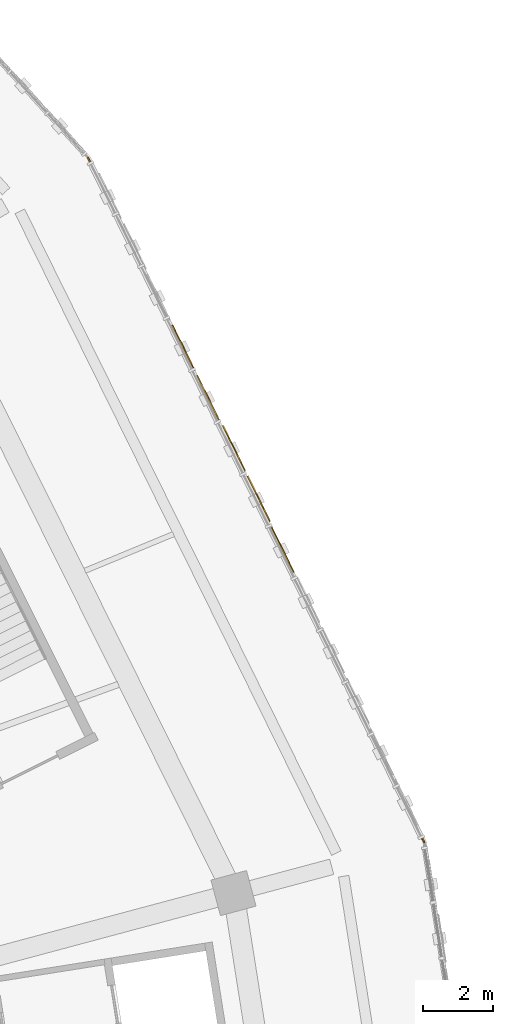
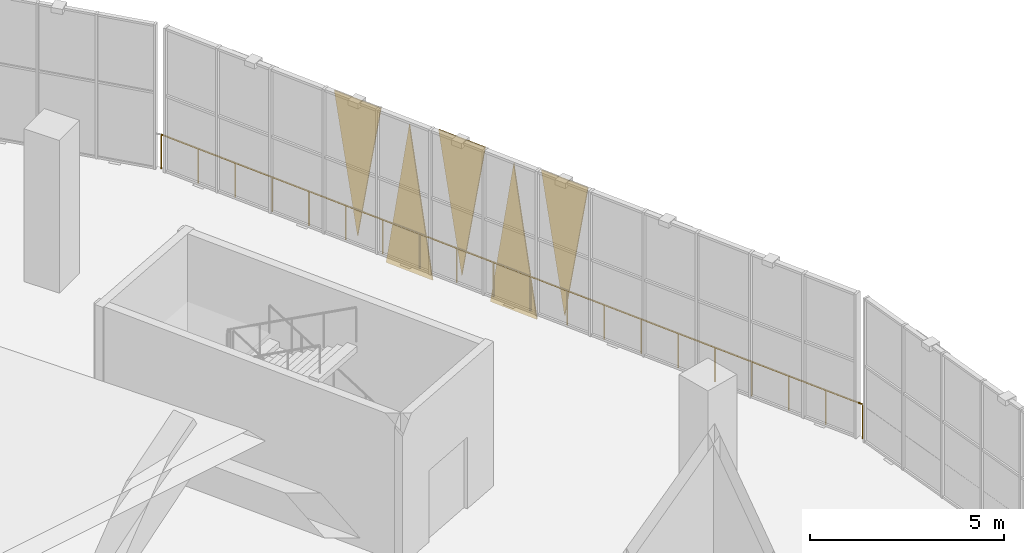
# One storey, part 137 of 152: 5 coverings, 1 railing.
"""IFC4 building model written with IfcOpenShell, lengths in metres."""

import ifcopenshell
import ifcopenshell.guid

model = None  # the IFC model being written
_history = None  # IfcOwnerHistory: only IFC2X3 demands one
_inside = {}  # id of a spatial element -> (the spatial element, [elements in it])
_under = {}  # id of a project, library or spatial element -> (it, [spatial elements below it])
_declared = {}  # id of a project -> (the project, [libraries it declares])
_typed = {}  # id of a type object -> (the type object, [elements of that type])
_made_of = {}  # id of a material, layer set ... -> (it, [elements and type objects made of it])


def new_model(schema):
    """Start an empty IFC model of exactly this schema.

    Asked for "IFC4X3", IfcOpenShell would pick the latest addendum, in which some entities
    have other attributes; the version numbers below select the first issue.
    IFC2X3 requires an IfcOwnerHistory on every rooted entity: one is made here for all.
    """
    global model, _history
    if schema == "IFC4X3":
        model = ifcopenshell.file(schema_version=(4, 3, 0, 0))
    else:
        model = ifcopenshell.file(schema=schema)
    _inside.clear()
    _under.clear()
    _declared.clear()
    _typed.clear()
    _made_of.clear()
    _history = None
    if model.schema == "IFC2X3":
        org = make("IfcOrganization", Name="unknown")
        user = make(
            "IfcPersonAndOrganization",
            ThePerson=make("IfcPerson", FamilyName="unknown"),
            TheOrganization=org,
        )
        app = make(
            "IfcApplication",
            ApplicationDeveloper=org,
            Version="unknown",
            ApplicationFullName="unknown",
            ApplicationIdentifier="unknown",
        )
        _history = make(
            "IfcOwnerHistory",
            OwningUser=user,
            OwningApplication=app,
            ChangeAction="ADDED",
            CreationDate=0,
        )
    return model


def make(cls, **values):
    """One entity of the class cls with the attributes given. An attribute that is None is left unset."""
    return model.create_entity(
        cls, **{name: value for name, value in values.items() if value is not None}
    )


def rooted(cls, **values):
    """An entity with a GlobalId (a new one), such as an element, a storey or a relation."""
    return make(cls, GlobalId=ifcopenshell.guid.new(), OwnerHistory=_history, **values)


def si_unit(unit_type, name, prefix=None):
    """IfcSIUnit, for example si_unit("LENGTHUNIT", "METRE", prefix="MILLI")."""
    return make("IfcSIUnit", UnitType=unit_type, Prefix=prefix, Name=name)


def assignment(units):
    """IfcUnitAssignment: the units of a project."""
    return None if units is None else make("IfcUnitAssignment", Units=units)


def point(xyz):
    """IfcCartesianPoint."""
    return None if xyz is None else make("IfcCartesianPoint", Coordinates=xyz)


def direction(xyz):
    """IfcDirection."""
    return None if xyz is None else make("IfcDirection", DirectionRatios=xyz)


def frame(location, z_axis=None, x_axis=None):
    """IfcAxis2Placement3D, a coordinate frame: its origin and axes. An axis left out is left unset."""
    return make(
        "IfcAxis2Placement3D",
        Location=point(location),
        Axis=direction(z_axis),
        RefDirection=direction(x_axis),
    )


def frame_2d(location, x_axis=None):
    """IfcAxis2Placement2D, a coordinate frame in the plane: its origin and x axis."""
    return make(
        "IfcAxis2Placement2D", Location=point(location), RefDirection=direction(x_axis)
    )


def origin():
    """The frame at (0, 0, 0) with its axes left unset."""
    return frame((0.0, 0.0, 0.0))


def origin_2d():
    """The frame at (0, 0) in the plane with its x axis left unset."""
    return frame_2d((0.0, 0.0))


def place(relative_to, where):
    """IfcLocalPlacement: puts the frame where relative to a parent placement (None: the world)."""
    return make(
        "IfcLocalPlacement", PlacementRelTo=relative_to, RelativePlacement=where
    )


def context(
    kind, dimensions, precision=None, world=None, true_north=None, identifier=None
):
    """IfcGeometricRepresentationContext, for example the 3D "Model" context."""
    return make(
        "IfcGeometricRepresentationContext",
        ContextIdentifier=identifier,
        ContextType=kind,
        CoordinateSpaceDimension=dimensions,
        Precision=precision,
        WorldCoordinateSystem=world,
        TrueNorth=true_north,
    )


def subcontext(parent, identifier, kind, view, scale=None):
    """IfcGeometricRepresentationSubContext, for example "Body" below "Model"."""
    return make(
        "IfcGeometricRepresentationSubContext",
        ContextIdentifier=identifier,
        ContextType=kind,
        ParentContext=parent,
        TargetScale=scale,
        TargetView=view,
    )


def project(units=None, contexts=None):
    """IfcProject with its units and contexts."""
    return rooted(
        "IfcProject",
        Name="project",
        RepresentationContexts=contexts,
        UnitsInContext=assignment(units),
    )


def spatial(cls, under=None, at=None, **own):
    """A site, building, storey or space (cls), placed at a placement, below another one or the project."""
    s = rooted(cls, ObjectPlacement=at, **own)
    if under is not None:
        _under.setdefault(under.id(), (under, []))[1].append(s)
    return s


def polyline(points):
    """IfcPolyline through the points."""
    return make("IfcPolyline", Points=[point(p) for p in points])


def profile(cls, at=None, kind="AREA", **sizes):
    """A parametric profile (cls). Its sizes go by their IFC names, for example OverallWidth=200.0."""
    return make(cls, ProfileType=kind, Position=at, **sizes)


def circle(**sizes):
    """IfcCircleProfileDef."""
    return profile("IfcCircleProfileDef", **sizes)


def outline(outer, holes=None, kind="AREA"):
    """IfcArbitraryClosedProfileDef: a profile drawn as a closed curve; with holes, ...WithVoids."""
    if holes is None:
        return make("IfcArbitraryClosedProfileDef", ProfileType=kind, OuterCurve=outer)
    return make(
        "IfcArbitraryProfileDefWithVoids",
        ProfileType=kind,
        OuterCurve=outer,
        InnerCurves=holes,
    )


def extrude(swept, where, along, depth):
    """IfcExtrudedAreaSolid: the profile swept, set in the frame where, extruded along a direction by depth."""
    return make(
        "IfcExtrudedAreaSolid",
        SweptArea=swept,
        Position=where,
        ExtrudedDirection=direction(along),
        Depth=depth,
    )


def shape(context_of_items, identifier, shape_type, items):
    """IfcShapeRepresentation: the items that make up one representation, for example the "Body"."""
    return make(
        "IfcShapeRepresentation",
        ContextOfItems=context_of_items,
        RepresentationIdentifier=identifier,
        RepresentationType=shape_type,
        Items=items,
    )


def material(Name=None, Category=None):
    """IfcMaterial."""
    return make("IfcMaterial", Name=Name, Category=Category)


def layer(
    of_material, thickness, ventilated=None, Name=None, Category=None, Priority=None
):
    """IfcMaterialLayer: one layer of a wall or slab, of a material (None: an air gap)."""
    return make(
        "IfcMaterialLayer",
        Material=of_material,
        LayerThickness=thickness,
        IsVentilated=ventilated,
        Name=Name,
        Category=Category,
        Priority=Priority,
    )


def layer_set(layers, Name=None):
    """IfcMaterialLayerSet."""
    return make("IfcMaterialLayerSet", MaterialLayers=layers, LayerSetName=Name)


def made_of(thing, what):
    """Note that an element or type object is made of a material, layer set ...; save() writes the relation."""
    if what is not None:
        _made_of.setdefault(what.id(), (what, []))[1].append(thing)
    return thing


def type_object(cls, material=None, **own):
    """A type object (cls), such as IfcWallType, which elements share."""
    return made_of(rooted(cls, **own), material)


def element(
    cls,
    number,
    at=None,
    inside=None,
    cuts=None,
    type_object=None,
    material=None,
    context=None,
    identifier="Body",
    shape_type=None,
    held_by="IfcProductDefinitionShape",
    body=None,
    shapes=None,
    **own,
):
    """One element of the class cls, such as IfcWall. Its Tag is "e" and its number.

    at: its placement. inside: the storey or other place that contains it. cuts: it is an
    opening in that element (IfcRelVoidsElement). A single representation is given by context,
    identifier, shape_type and body (its items); several are given by shapes. held_by: the class
    of the entity that holds the representations. save() writes the other relations.
    """
    e = rooted(cls, Tag="e%d" % number, ObjectPlacement=at, **own)
    if body is not None:
        shapes = [shape(context, identifier, shape_type, body)]
    if shapes is not None:
        e.Representation = make(held_by, Representations=shapes)
    if inside is not None:
        _inside.setdefault(inside.id(), (inside, []))[1].append(e)
    if cuts is not None:
        rooted(
            "IfcRelVoidsElement", RelatingBuildingElement=cuts, RelatedOpeningElement=e
        )
    if type_object is not None:
        _typed.setdefault(type_object.id(), (type_object, []))[1].append(e)
    return made_of(e, material)


def aggregate(whole, parts):
    """IfcRelAggregates: a whole, such as a stair, and the parts it consists of."""
    return rooted("IfcRelAggregates", RelatingObject=whole, RelatedObjects=parts)


def save(model, path):
    """Write the relations noted so far, then the file.

    IfcRelAggregates (storeys below a building ...), IfcRelContainedInSpatialStructure (elements
    in a storey), IfcRelDefinesByType, IfcRelAssociatesMaterial and IfcRelDeclares: one each for
    every whole, place, type object, material and project.
    """
    for whole, parts in _under.values():
        aggregate(whole, parts)
    for where, things in _inside.values():
        rooted(
            "IfcRelContainedInSpatialStructure",
            RelatedElements=things,
            RelatingStructure=where,
        )
    for kind, things in _typed.values():
        rooted("IfcRelDefinesByType", RelatedObjects=things, RelatingType=kind)
    for what, things in _made_of.values():
        rooted("IfcRelAssociatesMaterial", RelatedObjects=things, RelatingMaterial=what)
    for by, libraries in _declared.values():
        rooted("IfcRelDeclares", RelatingContext=by, RelatedDefinitions=libraries)
    model.write(path)


model = new_model("IFC4")

# Units and contexts
model_context = context("Model", 3, precision=1e-05, world=origin(), true_north=direction((0.0, 1.0)))
body_context = subcontext(model_context, "Body", "Model", "MODEL_VIEW")
ifc_project = project(units=[si_unit("LENGTHUNIT", "METRE"), si_unit("AREAUNIT", "SQUARE_METRE"), si_unit("VOLUMEUNIT", "CUBIC_METRE"), si_unit("PLANEANGLEUNIT", "RADIAN"), si_unit("MASSUNIT", "GRAM", prefix="KILO")], contexts=[model_context])

# Site, building, storey
site_placement = place(None, origin())
site = spatial("IfcSite", under=ifc_project, at=site_placement, CompositionType="ELEMENT")
building_placement = place(site_placement, origin())
building = spatial("IfcBuilding", under=site, at=building_placement, Name="Zevraka Park Crest Stadium", CompositionType="ELEMENT")
storey_placement = place(building_placement, frame((0.0, 0.0, 15.0)))
storey = spatial("IfcBuildingStorey", under=building, at=storey_placement, Name="L03", CompositionType="ELEMENT", Elevation=15.0)

# Coverings
ifc_material_1 = material(Name="Architectural golden-bronze perforated aluminium", Category="aluminium")
ifc_layer = layer(ifc_material_1, 0.034912109375)
ifc_layer_set = layer_set([ifc_layer], Name="Architectural golden-bronze perforated aluminium")
covering_type = type_object("IfcCoveringType", Name="CLD01", PredefinedType="CLADDING", material=ifc_layer_set)
covering_1_placement = place(storey_placement, frame((200.322021484375, 121.93994140625, 4.52001953125), z_axis=(0.897581304025, 0.440848949962, 7.7343744e-05), x_axis=(0.440848951281, -0.89758130671, 0.0)))
element("IfcCovering", 1, at=covering_1_placement, inside=storey, type_object=covering_type, Name="Triangular Golden-Bronze Perforated Cladding L03-01-6", PredefinedType="CLADDING", context=body_context, shape_type="SweptSolid", body=[
    extrude(outline(polyline([(0.0, 0.0), (1.4448551794759075, 0.0), (0.7231349347066114, 4.300048840986565), (0.0, 0.0)])), origin(), (0.0, 0.0, -1.0), 0.034912109375),
])
covering_2_placement = place(storey_placement, frame((200.251953125, 122.083984375, -0.260009765625), z_axis=(-0.897449823133, -0.441116538913, 0.000118559742), x_axis=(-0.441116542014, 0.89744982944, 0.0)))
element("IfcCovering", 2, at=covering_2_placement, inside=storey, type_object=covering_type, Name="Triangular Golden-Bronze Perforated Cladding L03-01-7", PredefinedType="CLADDING", context=body_context, shape_type="SweptSolid", body=[
    extrude(outline(polyline([(0.0, 0.0), (1.4439786994094814, 0.0), (0.7217201135340781, -4.620117219971137), (0.0, 0.0)])), origin(), (0.0, 0.0, -1.0), 0.034912109375),
])
covering_3_placement = place(storey_placement, frame((198.907958984375, 124.821044921875, 4.52001953125), z_axis=(-0.897614138564, -0.440782098158, 1.3879859e-05), x_axis=(0.440782098201, -0.897614138651, 0.0)))
element("IfcCovering", 3, at=covering_3_placement, inside=storey, type_object=covering_type, Name="Triangular Golden-Bronze Perforated Cladding L03-01-8", PredefinedType="CLADDING", context=body_context, shape_type="SweptSolid", body=[
    extrude(outline(polyline([(0.0, 0.0), (1.4450743195452247, 0.0), (0.7218278803551496, -4.300048828539204), (0.0, 0.0)])), origin(), (0.0, 0.0, -1.0), 0.034912109375),
])
covering_4_placement = place(storey_placement, frame((198.8369140625, 124.965087890625, -0.260009765625), z_axis=(0.897848668856, 0.440304175898, 2.2811457e-05), x_axis=(-0.440304176012, 0.89784866909, 0.0)))
element("IfcCovering", 4, at=covering_4_placement, inside=storey, type_object=covering_type, Name="Triangular Golden-Bronze Perforated Cladding L03-01-9", PredefinedType="CLADDING", context=body_context, shape_type="SweptSolid", body=[
    extrude(outline(polyline([(0.0, 0.0), (1.4444249288858595, -1.6940658945086007e-21), (0.7217203137041149, 4.620117188702069), (0.0, 0.0)])), origin(), (0.0, 0.0, -1.0), 0.034912109375),
])
covering_5_placement = place(storey_placement, frame((197.492919921875, 127.701904296875, 4.52001953125), z_axis=(0.897581292576, 0.440848944339, 0.000177462733), x_axis=(0.440848951281, -0.89758130671, 0.0)))
element("IfcCovering", 5, at=covering_5_placement, inside=storey, type_object=covering_type, Name="Triangular Golden-Bronze Perforated Cladding L03-01-10", PredefinedType="CLADDING", context=body_context, shape_type="SweptSolid", body=[
    extrude(outline(polyline([(0.0, 0.0), (1.4448551794759072, 1.3552527156068805e-20), (0.7222583904617778, 4.300048895835768), (0.0, 0.0)])), origin(), (0.0, 0.0, -1.0), 0.034912109375),
])

# Railing
ifc_material_2 = material(Name="Galvanised and bronze-finished steel balustrade", Category="steel")
railing_type = type_object("IfcRailingType", Name="GR01", PredefinedType="GUARDRAIL", material=ifc_material_2)
railing_placement = place(storey_placement, frame((195.080078125, 132.4599609375, 0.0)))
element("IfcRailing", 6, at=railing_placement, inside=storey, type_object=railing_type, Name="Deck Edge Protection Guardrail GR01 L03-19", PredefinedType="GUARDRAIL", context=body_context, shape_type="SweptSolid", body=[
    extrude(circle(Radius=0.02392578125, at=origin_2d()), frame((0.0, 0.0, 1.076171875), z_axis=(0.440666280829, -0.897671002618, 0.0), x_axis=(0.897671002618, 0.440666280829, 0.0)), (0.0, 0.0, 1.0), 21.74169921875),
    extrude(circle(Radius=0.02099609375, at=origin_2d()), origin(), (0.0, 0.0, 1.0), 1.052001953125),
    extrude(circle(Radius=0.02099609375, at=origin_2d()), frame((0.504150390625, -1.027099609375, 0.0)), (0.0, 0.0, 1.0), 1.052001953125),
    extrude(circle(Radius=0.02099609375, at=origin_2d()), frame((1.008544921875, -2.054443359375, 0.0)), (0.0, 0.0, 1.0), 1.052001953125),
    extrude(circle(Radius=0.02099609375, at=origin_2d()), frame((1.5126953125, -3.08154296875, 0.0)), (0.0, 0.0, 1.0), 1.052001953125),
    extrude(circle(Radius=0.02099609375, at=origin_2d()), frame((2.01708984375, -4.10888671875, 0.0)), (0.0, 0.0, 1.0), 1.052001953125),
    extrude(circle(Radius=0.02099609375, at=origin_2d()), frame((2.521240234375, -5.135986328125, 0.0)), (0.0, 0.0, 1.0), 1.052001953125),
    extrude(circle(Radius=0.02099609375, at=origin_2d()), frame((3.025634765625, -6.163330078125, 0.0)), (0.0, 0.0, 1.0), 1.052001953125),
    extrude(circle(Radius=0.02099609375, at=origin_2d()), frame((3.52978515625, -7.1904296875, 0.0)), (0.0, 0.0, 1.0), 1.052001953125),
    extrude(circle(Radius=0.02099609375, at=origin_2d()), frame((4.033935546875, -8.217529296875, 0.0)), (0.0, 0.0, 1.0), 1.052001953125),
    extrude(circle(Radius=0.02099609375, at=origin_2d()), frame((4.538330078125, -9.244873046875, 0.0)), (0.0, 0.0, 1.0), 1.052001953125),
    extrude(circle(Radius=0.02099609375, at=origin_2d()), frame((5.04248046875, -10.27197265625, 0.0)), (0.0, 0.0, 1.0), 1.052001953125),
    extrude(circle(Radius=0.02099609375, at=origin_2d()), frame((5.546875, -11.29931640625, 0.0)), (0.0, 0.0, 1.0), 1.052001953125),
    extrude(circle(Radius=0.02099609375, at=origin_2d()), frame((6.051025390625, -12.326416015625, 0.0)), (0.0, 0.0, 1.0), 1.052001953125),
    extrude(circle(Radius=0.02099609375, at=origin_2d()), frame((6.55517578125, -13.353515625, 0.0)), (0.0, 0.0, 1.0), 1.052001953125),
    extrude(circle(Radius=0.02099609375, at=origin_2d()), frame((7.0595703125, -14.380859375, 0.0)), (0.0, 0.0, 1.0), 1.052001953125),
    extrude(circle(Radius=0.02099609375, at=origin_2d()), frame((7.563720703125, -15.407958984375, 0.0)), (0.0, 0.0, 1.0), 1.052001953125),
    extrude(circle(Radius=0.02099609375, at=origin_2d()), frame((8.068115234375, -16.435302734375, 0.0)), (0.0, 0.0, 1.0), 1.052001953125),
    extrude(circle(Radius=0.02099609375, at=origin_2d()), frame((8.572265625, -17.46240234375, 0.0)), (0.0, 0.0, 1.0), 1.052001953125),
    extrude(circle(Radius=0.02099609375, at=origin_2d()), frame((9.07666015625, -18.48974609375, 0.0)), (0.0, 0.0, 1.0), 1.052001953125),
    extrude(circle(Radius=0.02099609375, at=origin_2d()), frame((9.580810546875, -19.516845703125, 0.0)), (0.0, 0.0, 1.0), 1.052001953125),
])

save(model, "model.ifc")
